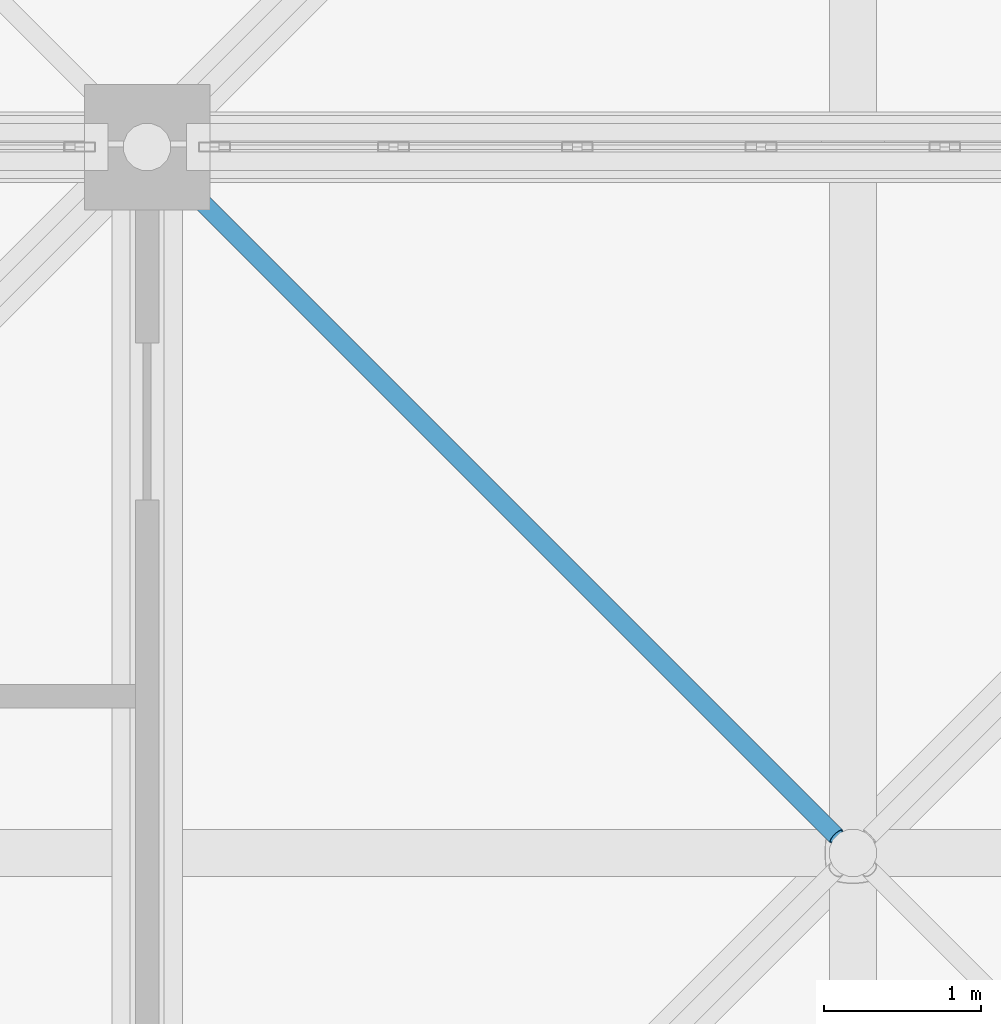
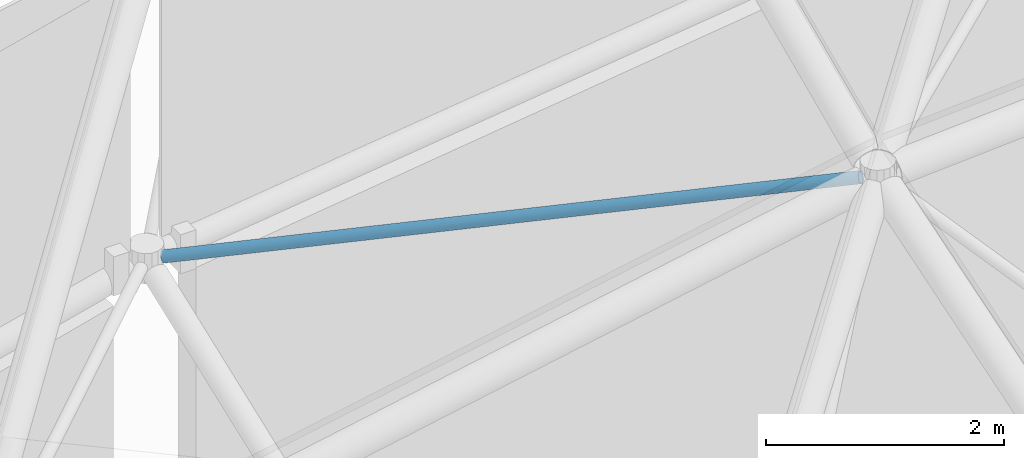
# One storey, part 112 of 437: 1 member.
"""IFC4 building model written with IfcOpenShell, lengths in metres."""

from ifc_helpers import new_model, si_unit, direction, frame, origin, origin_2d, place, context, subcontext, project, spatial, hollow_circle, extrude, material, material_profile, profile_set, type_object, element, save


model = new_model("IFC4")

# Units and contexts
model_context = context("Model", 3, precision=1e-05, world=origin(), true_north=direction((0.0, 1.0)))
body_context = subcontext(model_context, "Body", "Model", "MODEL_VIEW")
ifc_project = project(units=[si_unit("LENGTHUNIT", "METRE"), si_unit("AREAUNIT", "SQUARE_METRE"), si_unit("VOLUMEUNIT", "CUBIC_METRE"), si_unit("PLANEANGLEUNIT", "RADIAN"), si_unit("MASSUNIT", "GRAM", prefix="KILO")], contexts=[model_context])

# Site, building, storey
site_placement = place(None, origin())
site = spatial("IfcSite", under=ifc_project, at=site_placement, CompositionType="ELEMENT")
building_placement = place(site_placement, origin())
building = spatial("IfcBuilding", under=site, at=building_placement, Name="Opaline Strait Convention Centre", CompositionType="ELEMENT")
storey_placement = place(building_placement, frame((0.0, 0.0, 11.5)))
storey = spatial("IfcBuildingStorey", under=building, at=storey_placement, Name="L02", CompositionType="ELEMENT", Elevation=11.5)

# Member
ifc_material = material(Name="Steel Q355B", Category="steel")
ifc_material_profile = material_profile(ifc_material, hollow_circle(Radius=0.056884765625, WallThickness=0.006103515625, at=origin_2d()), Name="CHS 114x6")
ifc_profile_set = profile_set([ifc_material_profile], Name="Steel Q355B")
member_type = type_object("IfcMemberType", Name="Shell truss web CHS 114x6", PredefinedType="BRACE", material=ifc_profile_set)
member_placement = place(storey_placement, frame((27.106201171875, 179.893798828125, 16.45654296875), z_axis=(0.674355522785, -0.674355522785, 0.300814324422), x_axis=(0.707106781187, 0.707106781187, 0.0)))
element("IfcMember", 1, at=member_placement, inside=storey, type_object=member_type, Name="PWB3 web 3-8bc", PredefinedType="BRACE", context=body_context, shape_type="SweptSolid", body=[
    extrude(hollow_circle(Radius=0.056884765625, WallThickness=0.006103515625, at=origin_2d()), origin(), (0.0, 0.0, 1.0), 6.358154296875),
])

save(model, "model.ifc")
